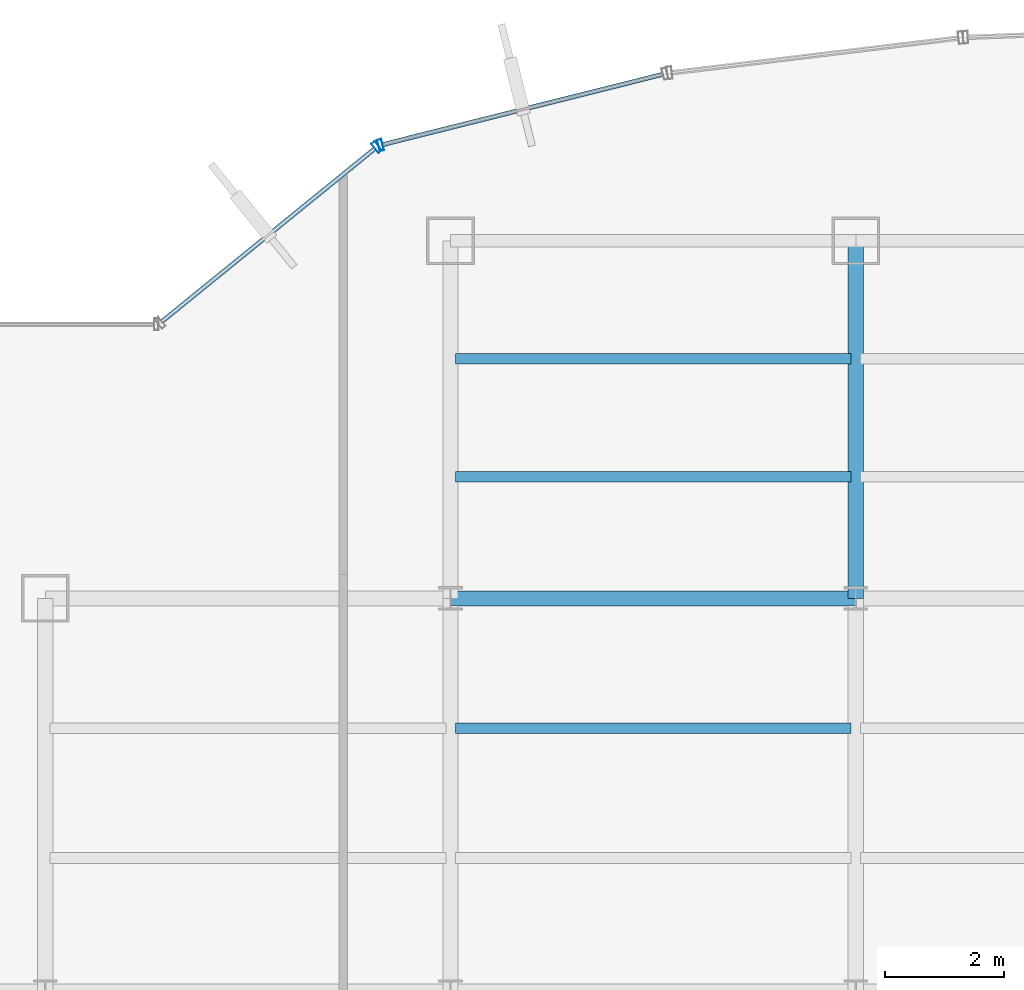
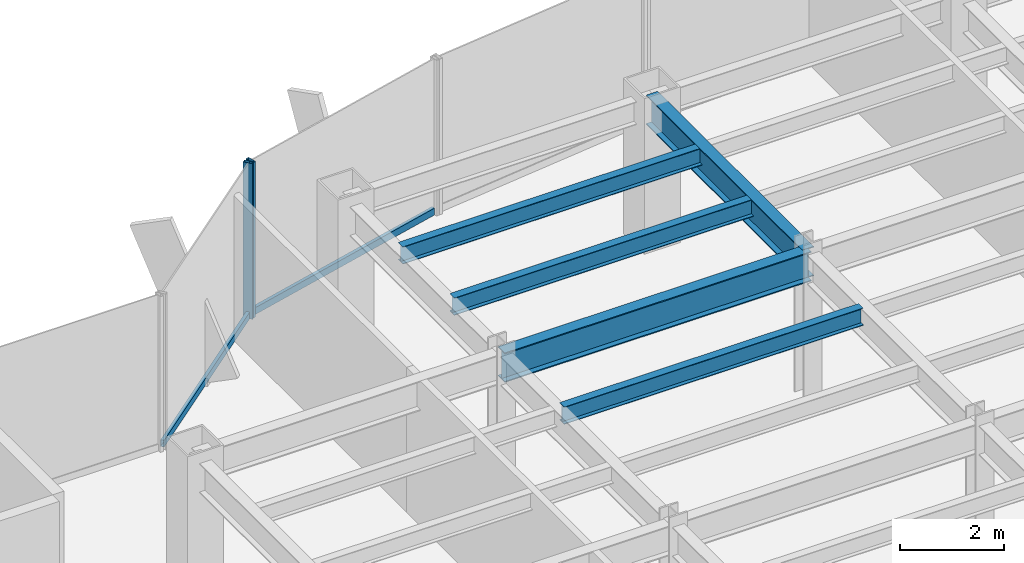
# One storey, part 14 of 26: 5 beams, 4 members, 2 elements without a shape of their own.
"""IFC4 building model written with IfcOpenShell, lengths in metres."""

from ifc_helpers import new_model, si_unit, derived_unit, direction, frame, origin, origin_2d, place, context, subcontext, project, spatial, hollow_rectangle, i_section, extrude, source, transform, mapped, material, material_profile, profile_set, type_object, element, aggregate, save


model = new_model("IFC4")

# Units and contexts
model_context = context("Model", 3, precision=1e-05, world=origin(), true_north=direction((0.0, 1.0)))
body_context = subcontext(model_context, "Body", "Model", "MODEL_VIEW")
ifc_project = project(units=[si_unit("LENGTHUNIT", "METRE"), si_unit("AREAUNIT", "SQUARE_METRE"), si_unit("VOLUMEUNIT", "CUBIC_METRE"), si_unit("PLANEANGLEUNIT", "RADIAN"), si_unit("MASSUNIT", "GRAM", prefix="KILO"), derived_unit("THERMALTRANSMITTANCEUNIT", [(si_unit("POWERUNIT", "WATT"), 1), (si_unit("LENGTHUNIT", "METRE"), -2), (si_unit("THERMODYNAMICTEMPERATUREUNIT", "KELVIN"), -1)])], contexts=[model_context])

# Site, building, storey
site_placement = place(None, origin())
site = spatial("IfcSite", under=ifc_project, at=site_placement, CompositionType="ELEMENT")
building_placement = place(site_placement, origin())
building = spatial("IfcBuilding", under=site, at=building_placement, Name="Skarnbrae Concourse Arena and Tower", CompositionType="ELEMENT")
storey_placement = place(building_placement, frame((0.0, 0.0, 117.85009765625)))
storey = spatial("IfcBuildingStorey", under=building, at=storey_placement, Name="L29", CompositionType="ELEMENT", Elevation=117.85009765625)

# Beams
ifc_material_1 = material(Name="Steel CSA G40.21 350W", Category="steel")
ifc_material_profile_1 = material_profile(ifc_material_1, i_section(OverallWidth=0.256103515625, OverallDepth=0.693115234375, WebThickness=0.014404296875, FlangeThickness=0.023681640625, at=origin_2d()), Name="W690X170")
ifc_profile_set_1 = profile_set([ifc_material_profile_1], Name="Steel CSA G40.21 350W")
beam_type_1 = type_object("IfcBeamType", Name="BM-GIRD-W690X170", PredefinedType="BEAM", material=ifc_profile_set_1)
shared_shape_1 = source(origin(), body_context, "Body", "SweptSolid", [
    extrude(i_section(OverallWidth=0.256103515625, OverallDepth=0.693115234375, WebThickness=0.014404296875, FlangeThickness=0.023681640625, at=origin_2d()), origin(), (0.0, 0.0, 1.0), 6.800048828125),
])
beam_1_placement = place(storey_placement, frame((14.39990234375, 34.39990234375, 3.053466796875), z_axis=(1.0, 0.0, 0.0), x_axis=(0.0, 1.0, 0.0)))
element("IfcBeam", 1, at=beam_1_placement, inside=storey, type_object=beam_type_1, Name="L29 Primary E-W girder Y34.4-2", PredefinedType="BEAM", context=body_context, shape_type="MappedRepresentation", body=[
    mapped(shared_shape_1, transform((0.0, 0.0, 0.0))),
])
shared_shape_2 = source(origin(), body_context, "Body", "SweptSolid", [
    extrude(i_section(OverallWidth=0.256103515625, OverallDepth=0.693115234375, WebThickness=0.014404296875, FlangeThickness=0.023681640625, at=origin_2d()), origin(), (0.0, 0.0, 1.0), 6.0),
])
beam_2_placement = place(storey_placement, frame((21.199951171875, 34.39990234375, 3.053466796875), z_axis=(0.0, 1.0, 0.0), x_axis=(-1.0, 0.0, 0.0)))
element("IfcBeam", 2, at=beam_2_placement, inside=storey, type_object=beam_type_1, Name="L29 Primary N-S girder X21.2-4", PredefinedType="BEAM", context=body_context, shape_type="MappedRepresentation", body=[
    mapped(shared_shape_2, transform((0.0, 0.0, 0.0))),
])
ifc_material_profile_2 = material_profile(ifc_material_1, i_section(OverallWidth=0.177978515625, OverallDepth=0.406982421875, WebThickness=0.0078125, FlangeThickness=0.0126953125, at=origin_2d()), Name="W410X60")
ifc_profile_set_2 = profile_set([ifc_material_profile_2], Name="Steel CSA G40.21 350W")
beam_type_2 = type_object("IfcBeamType", Name="BM-JOIST-W410X60", PredefinedType="JOIST", material=ifc_profile_set_2)
shared_shape_3 = source(origin(), body_context, "Body", "SweptSolid", [
    extrude(i_section(OverallWidth=0.177978515625, OverallDepth=0.406982421875, WebThickness=0.0078125, FlangeThickness=0.0126953125, at=origin_2d()), origin(), (0.0, 0.0, 1.0), 6.64013671875),
])
for number, where, z_axis, x_axis, name in (
    (3, (14.47998046875, 32.221923828125, 3.1962890625), (1.0, 0.0, 0.0), (0.0, 1.0, 0.0), "L29 Secondary floor joist 3.2.2"),
    (4, (14.47998046875, 36.43994140625, 3.1962890625), (1.0, 0.0, 0.0), (0.0, 1.0, 0.0), "L29 Secondary floor joist 4.1.1"),
    (5, (14.47998046875, 38.419921875, 3.1962890625), (1.0, 0.0, 0.0), (0.0, 1.0, 0.0), "L29 Secondary floor joist 4.2.1"),
):
    element("IfcBeam", number, at=place(storey_placement, frame(where, z_axis=z_axis, x_axis=x_axis)), inside=storey, type_object=beam_type_2, Name=name, PredefinedType="JOIST", context=body_context, shape_type="MappedRepresentation", body=[
        mapped(shared_shape_3, transform((0.0, 0.0, 0.0))),
    ])

# Curtain wall, member
ifc_material_2 = material(Name="Bronze anodised aluminium 6063-T6", Category="aluminium")
curtain_wall_type = type_object("IfcCurtainWallType", Name="CW-SYS-04-MIDZONE", PredefinedType="USERDEFINED", material=ifc_material_2)
curtain_wall_1_placement = place(storey_placement, origin())
curtain_wall_1 = element("IfcCurtainWall", 6, at=curtain_wall_1_placement, inside=storey, type_object=curtain_wall_type, Name="L29 Unitised curtain wall CW-L29-E15", ObjectType="UNITISED CURTAIN WALL", PredefinedType="USERDEFINED")
ifc_material_profile_3 = material_profile(ifc_material_2, hollow_rectangle(XDim=0.074951171875, YDim=0.159912109375, WallThickness=0.00439453125, at=origin_2d()), Name="ALU-TRAN-75X160")
ifc_profile_set_3 = profile_set([ifc_material_profile_3], Name="Bronze anodised aluminium 6063-T6")
member_type_1 = type_object("IfcMemberType", Name="CWT-CW-04", PredefinedType="USERDEFINED", material=ifc_profile_set_3)
shared_shape_4 = source(origin(), body_context, "Body", "SweptSolid", [
    extrude(hollow_rectangle(XDim=0.074951171875, YDim=0.159912109375, WallThickness=0.00439453125, at=origin_2d()), origin(), (0.0, 0.0, 1.0), 4.602294921875),
])
member_1_placement = place(storey_placement, frame((13.130615234375, 41.94873046875, 0.079833984375), z_axis=(-0.776251906445, -0.630422856297, 0.0), x_axis=(0.630422856297, -0.776251906445, 0.0)))
member_1 = element("IfcMember", 7, at=member_1_placement, type_object=member_type_1, Name="CW-L29-E15 Transom 1", ObjectType="TRANSOM", PredefinedType="USERDEFINED", context=body_context, shape_type="MappedRepresentation", body=[
    mapped(shared_shape_4, transform((0.0, 0.0, 0.0))),
])

# Curtain wall, members
curtain_wall_2_placement = place(storey_placement, origin())
curtain_wall_2 = element("IfcCurtainWall", 8, at=curtain_wall_2_placement, inside=storey, type_object=curtain_wall_type, Name="L29 Unitised curtain wall CW-L29-E14", ObjectType="UNITISED CURTAIN WALL", PredefinedType="USERDEFINED")
shared_shape_5 = source(origin(), body_context, "Body", "SweptSolid", [
    extrude(hollow_rectangle(XDim=0.074951171875, YDim=0.159912109375, WallThickness=0.00439453125, at=origin_2d()), origin(), (0.0, 0.0, 1.0), 4.84716796875),
])
member_2_placement = place(storey_placement, frame((17.963134765625, 43.194580078125, 0.079833984375), z_axis=(-0.969907992238, -0.243471736744, 0.0), x_axis=(0.243471736744, -0.969907992238, 0.0)))
member_2 = element("IfcMember", 9, at=member_2_placement, type_object=member_type_1, Name="CW-L29-E14 Transom 1", ObjectType="TRANSOM", PredefinedType="USERDEFINED", context=body_context, shape_type="MappedRepresentation", body=[
    mapped(shared_shape_5, transform((0.0, 0.0, 0.0))),
])
ifc_material_profile_4 = material_profile(ifc_material_2, hollow_rectangle(XDim=0.074951171875, YDim=0.195068359375, WallThickness=0.00439453125, at=origin_2d()), Name="ALU-MULL-75X195")
ifc_profile_set_4 = profile_set([ifc_material_profile_4], Name="Bronze anodised aluminium 6063-T6")
member_type_2 = type_object("IfcMemberType", Name="CWM-CW-04", PredefinedType="MULLION", material=ifc_profile_set_4)
shared_shape_6 = source(origin(), body_context, "Body", "SweptSolid", [
    extrude(hollow_rectangle(XDim=0.074951171875, YDim=0.195068359375, WallThickness=0.00439453125, at=origin_2d()), origin(), (0.0, 0.0, 1.0), 3.64990234375),
])
member_3_placement = place(storey_placement, frame((13.225341796875, 42.005126953125, 0.0), z_axis=(0.0, 0.0, 1.0), x_axis=(-0.969903046166, -0.243491439351, 0.0)))
member_3 = element("IfcMember", 10, at=member_3_placement, type_object=member_type_2, Name="CW-L29-E14 Mullion 2", PredefinedType="MULLION", context=body_context, shape_type="MappedRepresentation", body=[
    mapped(shared_shape_6, transform((0.0, 0.0, 0.0))),
])
aggregate(curtain_wall_2, [member_3, member_2])

# Member
member_4_placement = place(storey_placement, frame((13.159912109375, 41.972412109375, 0.0), z_axis=(0.0, 0.0, 1.0), x_axis=(-0.776241200471, -0.630436038542, 0.0)))
member_4 = element("IfcMember", 11, at=member_4_placement, type_object=member_type_2, Name="CW-L29-E15 Mullion 1", PredefinedType="MULLION", context=body_context, shape_type="MappedRepresentation", body=[
    mapped(shared_shape_6, transform((0.0, 0.0, 0.0))),
])

aggregate(curtain_wall_1, [member_4, member_1])

save(model, "model.ifc")
